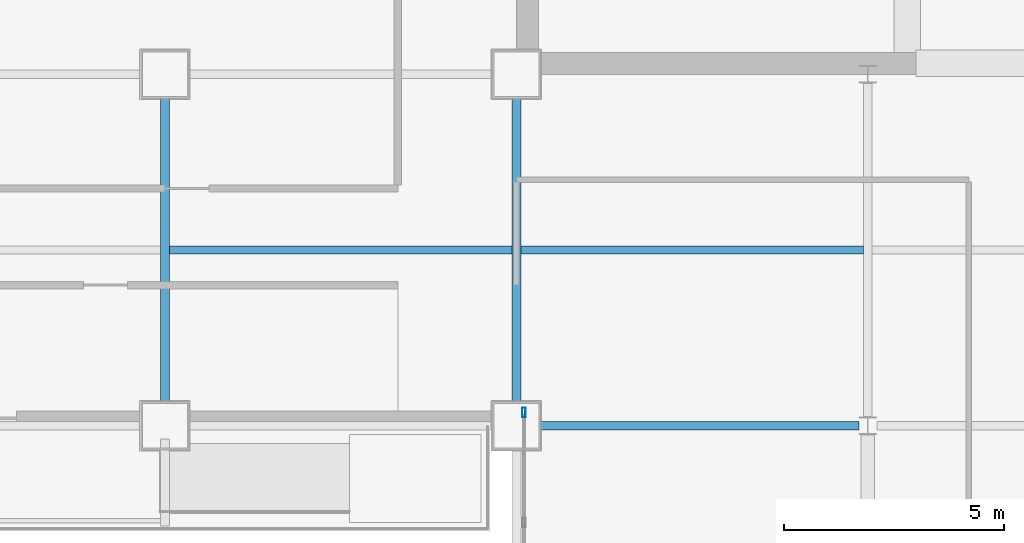
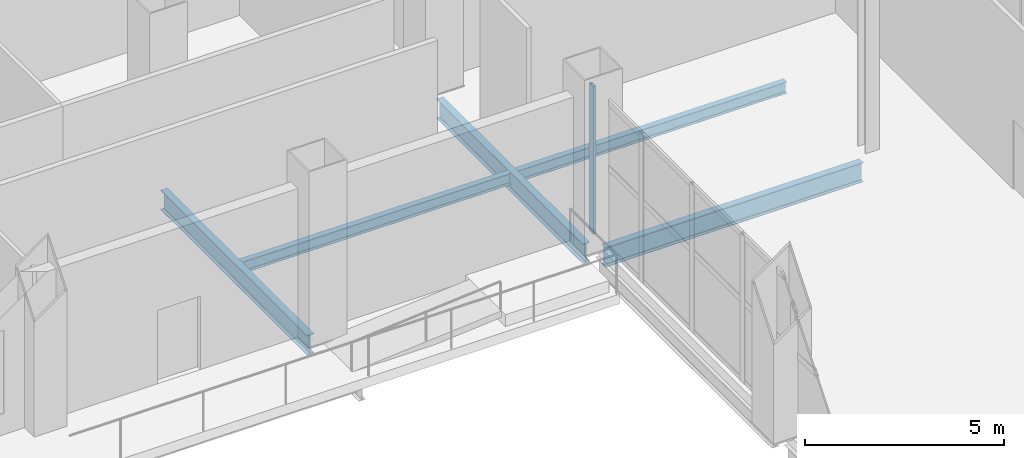
# One storey, part 9 of 22: 5 beams, 1 member, 1 element without a shape of its own.
"""IFC4 building model written with IfcOpenShell, lengths in metres."""

from ifc_helpers import new_model, si_unit, direction, frame, origin, origin_2d, place, context, subcontext, project, spatial, hollow_rectangle, i_section, extrude, material, layer, layer_set, material_profile, profile_set, type_object, element, aggregate, save


model = new_model("IFC4")

# Units and contexts
model_context = context("Model", 3, precision=1e-05, world=origin(), true_north=direction((0.0, 1.0)))
body_context = subcontext(model_context, "Body", "Model", "MODEL_VIEW")
ifc_project = project(units=[si_unit("LENGTHUNIT", "METRE"), si_unit("AREAUNIT", "SQUARE_METRE"), si_unit("VOLUMEUNIT", "CUBIC_METRE"), si_unit("PLANEANGLEUNIT", "RADIAN"), si_unit("MASSUNIT", "GRAM", prefix="KILO")], contexts=[model_context])

# Site, building, storey
site_placement = place(None, origin())
site = spatial("IfcSite", under=ifc_project, at=site_placement, CompositionType="ELEMENT")
building_placement = place(site_placement, origin())
building = spatial("IfcBuilding", under=site, at=building_placement, Name="Qianrong Seaharbour Tower", CompositionType="ELEMENT")
storey_placement = place(building_placement, frame((0.0, 0.0, 113.60009765625)))
storey = spatial("IfcBuildingStorey", under=building, at=storey_placement, Name="L27", CompositionType="ELEMENT", Elevation=113.60009765625)

# Beams
ifc_material_1 = material(Name="Structural steel SN490B", Category="steel")
ifc_material_profile_1 = material_profile(ifc_material_1, i_section(OverallWidth=0.199951171875, OverallDepth=0.60009765625, WebThickness=0.010986328125, FlangeThickness=0.01708984375, FilletRadius=0.02197265625, at=origin_2d()), Name="H600x200x11x17")
ifc_profile_set_1 = profile_set([ifc_material_profile_1], Name="Structural steel SN490B")
beam_type_1 = type_object("IfcBeamType", Name="BM-G-600", PredefinedType="BEAM", material=ifc_profile_set_1)
beam_placement = place(storey_placement, frame((40.820068359375, 28.0, -0.60009765625), z_axis=(1.0, 0.0, 0.0), x_axis=(0.0, 1.0, 0.0)))
element("IfcBeam", 1, at=beam_placement, inside=storey, type_object=beam_type_1, Name="L27 Primary Girder GE G6-G7", PredefinedType="BEAM", context=body_context, shape_type="SweptSolid", body=[
    extrude(i_section(OverallWidth=0.199951171875, OverallDepth=0.60009765625, WebThickness=0.010986328125, FlangeThickness=0.01708984375, FilletRadius=0.02197265625, at=origin_2d()), origin(), (0.0, 0.0, 1.0), 7.476318359375),
])
for number, where, z_axis, x_axis, name in (
    (2, (32.5, 28.320068359375, -0.60009765625), (0.0, 1.0, 0.0), (-1.0, 0.0, 0.0), "L27 Primary Girder G5 GE-GF"),
    (3, (40.5, 28.320068359375, -0.60009765625), (0.0, 1.0, 0.0), (-1.0, 0.0, 0.0), "L27 Primary Girder G6 GE-GF"),
):
    element("IfcBeam", number, at=place(storey_placement, frame(where, z_axis=z_axis, x_axis=x_axis)), inside=storey, type_object=beam_type_1, Name=name, PredefinedType="BEAM", context=body_context, shape_type="SweptSolid", body=[
        extrude(i_section(OverallWidth=0.199951171875, OverallDepth=0.60009765625, WebThickness=0.010986328125, FlangeThickness=0.01708984375, FilletRadius=0.02197265625, at=origin_2d()), origin(), (0.0, 0.0, 1.0), 7.35986328125),
    ])
ifc_material_2 = material(Name="Structural steel SN400B", Category="steel")
ifc_material_profile_2 = material_profile(ifc_material_2, i_section(OverallWidth=0.175048828125, OverallDepth=0.35009765625, WebThickness=0.007080078125, FlangeThickness=0.010986328125, FilletRadius=0.013916015625, at=origin_2d()), Name="H350x175x7x11")
ifc_profile_set_2 = profile_set([ifc_material_profile_2], Name="Structural steel SN400B")
beam_type_2 = type_object("IfcBeamType", Name="BM-J-350", PredefinedType="JOIST", material=ifc_profile_set_2)
for number, where, z_axis, x_axis, name in (
    (4, (32.60009765625, 32.0, -0.47509765625), (1.0, 0.0, 0.0), (0.0, 1.0, 0.0), "L27 Composite Floor Joist G5-G6/GE-GF"),
    (5, (40.60009765625, 32.0, -0.47509765625), (1.0, 0.0, 0.0), (0.0, 1.0, 0.0), "L27 Composite Floor Joist G6-G7/GE-GF"),
):
    element("IfcBeam", number, at=place(storey_placement, frame(where, z_axis=z_axis, x_axis=x_axis)), inside=storey, type_object=beam_type_2, Name=name, PredefinedType="JOIST", context=body_context, shape_type="SweptSolid", body=[
        extrude(i_section(OverallWidth=0.175048828125, OverallDepth=0.35009765625, WebThickness=0.007080078125, FlangeThickness=0.010986328125, FilletRadius=0.013916015625, at=origin_2d()), origin(), (0.0, 0.0, 1.0), 7.7998046875),
    ])

# Curtain wall, member
ifc_material_3 = material(Name="Anodised aluminium 6063-T6 and laminated low-e glass", Category="aluminium")
ifc_layer = layer(ifc_material_3, 0.2099609375)
ifc_layer_set = layer_set([ifc_layer], Name="Anodised aluminium 6063-T6 and laminated low-e glass")
curtain_wall_type = type_object("IfcCurtainWallType", Name="CW-SYS-2", PredefinedType="NOTDEFINED", material=ifc_layer_set)
curtain_wall_placement = place(storey_placement, origin())
curtain_wall = element("IfcCurtainWall", 6, at=curtain_wall_placement, inside=storey, type_object=curtain_wall_type, Name="L27 Sky-Lobby Feature Curtain Wall REENTRANT_WEST", PredefinedType="NOTDEFINED")
ifc_material_4 = material(Name="Extruded aluminium 6063-T6", Category="aluminium")
ifc_material_profile_3 = material_profile(ifc_material_4, hollow_rectangle(XDim=0.080078125, YDim=0.219970703125, WallThickness=0.0048828125, at=origin_2d()), Name="ALU-MUL-220x80x5")
ifc_profile_set_3 = profile_set([ifc_material_profile_3], Name="Extruded aluminium 6063-T6")
member_type = type_object("IfcMemberType", Name="CW-MUL-220", PredefinedType="MULLION", material=ifc_profile_set_3)
member_placement = place(storey_placement, frame((40.669921875, 28.300048828125, 0.0), z_axis=(0.0, 0.0, 1.0), x_axis=(-1.0, 0.0, 0.0)))
member = element("IfcMember", 7, at=member_placement, type_object=member_type, Name="CW-2 mullion 9", PredefinedType="MULLION", context=body_context, shape_type="SweptSolid", body=[
    extrude(hollow_rectangle(XDim=0.080078125, YDim=0.219970703125, WallThickness=0.0048828125, at=origin_2d()), origin(), (0.0, 0.0, 1.0), 4.52490234375),
])
aggregate(curtain_wall, [member])

save(model, "model.ifc")
